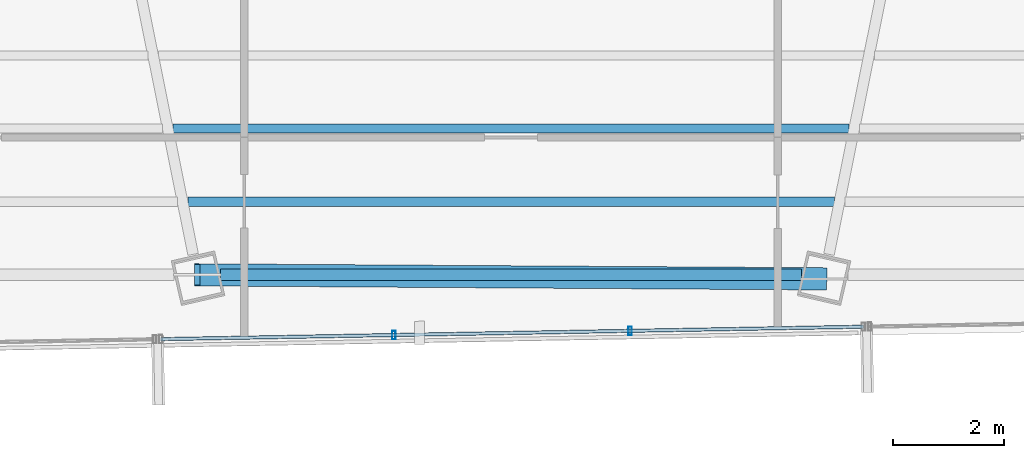
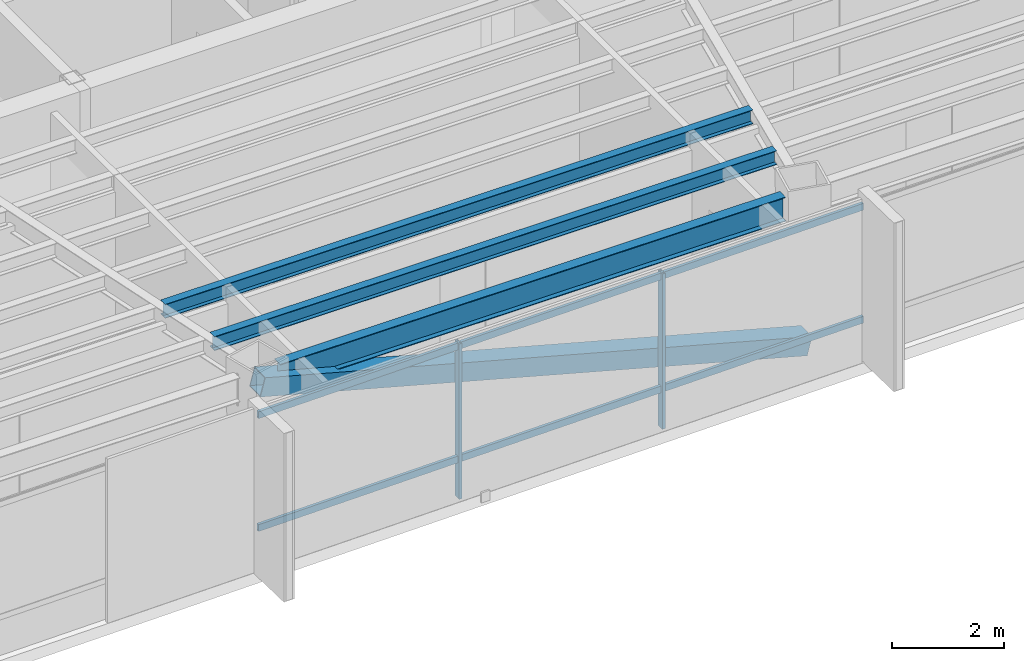
# One storey, part 13 of 42: 5 members, 3 beams, 1 element without a shape of its own.
"""IFC4 building model written with IfcOpenShell, lengths in metres."""

import ifcopenshell
import ifcopenshell.guid

model = None  # the IFC model being written
_history = None  # IfcOwnerHistory: only IFC2X3 demands one
_inside = {}  # id of a spatial element -> (the spatial element, [elements in it])
_under = {}  # id of a project, library or spatial element -> (it, [spatial elements below it])
_declared = {}  # id of a project -> (the project, [libraries it declares])
_typed = {}  # id of a type object -> (the type object, [elements of that type])
_made_of = {}  # id of a material, layer set ... -> (it, [elements and type objects made of it])


def new_model(schema):
    """Start an empty IFC model of exactly this schema.

    Asked for "IFC4X3", IfcOpenShell would pick the latest addendum, in which some entities
    have other attributes; the version numbers below select the first issue.
    IFC2X3 requires an IfcOwnerHistory on every rooted entity: one is made here for all.
    """
    global model, _history
    if schema == "IFC4X3":
        model = ifcopenshell.file(schema_version=(4, 3, 0, 0))
    else:
        model = ifcopenshell.file(schema=schema)
    _inside.clear()
    _under.clear()
    _declared.clear()
    _typed.clear()
    _made_of.clear()
    _history = None
    if model.schema == "IFC2X3":
        org = make("IfcOrganization", Name="unknown")
        user = make(
            "IfcPersonAndOrganization",
            ThePerson=make("IfcPerson", FamilyName="unknown"),
            TheOrganization=org,
        )
        app = make(
            "IfcApplication",
            ApplicationDeveloper=org,
            Version="unknown",
            ApplicationFullName="unknown",
            ApplicationIdentifier="unknown",
        )
        _history = make(
            "IfcOwnerHistory",
            OwningUser=user,
            OwningApplication=app,
            ChangeAction="ADDED",
            CreationDate=0,
        )
    return model


def make(cls, **values):
    """One entity of the class cls with the attributes given. An attribute that is None is left unset."""
    return model.create_entity(
        cls, **{name: value for name, value in values.items() if value is not None}
    )


def rooted(cls, **values):
    """An entity with a GlobalId (a new one), such as an element, a storey or a relation."""
    return make(cls, GlobalId=ifcopenshell.guid.new(), OwnerHistory=_history, **values)


def si_unit(unit_type, name, prefix=None):
    """IfcSIUnit, for example si_unit("LENGTHUNIT", "METRE", prefix="MILLI")."""
    return make("IfcSIUnit", UnitType=unit_type, Prefix=prefix, Name=name)


def assignment(units):
    """IfcUnitAssignment: the units of a project."""
    return None if units is None else make("IfcUnitAssignment", Units=units)


def point(xyz):
    """IfcCartesianPoint."""
    return None if xyz is None else make("IfcCartesianPoint", Coordinates=xyz)


def direction(xyz):
    """IfcDirection."""
    return None if xyz is None else make("IfcDirection", DirectionRatios=xyz)


def frame(location, z_axis=None, x_axis=None):
    """IfcAxis2Placement3D, a coordinate frame: its origin and axes. An axis left out is left unset."""
    return make(
        "IfcAxis2Placement3D",
        Location=point(location),
        Axis=direction(z_axis),
        RefDirection=direction(x_axis),
    )


def frame_2d(location, x_axis=None):
    """IfcAxis2Placement2D, a coordinate frame in the plane: its origin and x axis."""
    return make(
        "IfcAxis2Placement2D", Location=point(location), RefDirection=direction(x_axis)
    )


def origin():
    """The frame at (0, 0, 0) with its axes left unset."""
    return frame((0.0, 0.0, 0.0))


def origin_2d():
    """The frame at (0, 0) in the plane with its x axis left unset."""
    return frame_2d((0.0, 0.0))


def place(relative_to, where):
    """IfcLocalPlacement: puts the frame where relative to a parent placement (None: the world)."""
    return make(
        "IfcLocalPlacement", PlacementRelTo=relative_to, RelativePlacement=where
    )


def context(
    kind, dimensions, precision=None, world=None, true_north=None, identifier=None
):
    """IfcGeometricRepresentationContext, for example the 3D "Model" context."""
    return make(
        "IfcGeometricRepresentationContext",
        ContextIdentifier=identifier,
        ContextType=kind,
        CoordinateSpaceDimension=dimensions,
        Precision=precision,
        WorldCoordinateSystem=world,
        TrueNorth=true_north,
    )


def subcontext(parent, identifier, kind, view, scale=None):
    """IfcGeometricRepresentationSubContext, for example "Body" below "Model"."""
    return make(
        "IfcGeometricRepresentationSubContext",
        ContextIdentifier=identifier,
        ContextType=kind,
        ParentContext=parent,
        TargetScale=scale,
        TargetView=view,
    )


def project(units=None, contexts=None):
    """IfcProject with its units and contexts."""
    return rooted(
        "IfcProject",
        Name="project",
        RepresentationContexts=contexts,
        UnitsInContext=assignment(units),
    )


def spatial(cls, under=None, at=None, **own):
    """A site, building, storey or space (cls), placed at a placement, below another one or the project."""
    s = rooted(cls, ObjectPlacement=at, **own)
    if under is not None:
        _under.setdefault(under.id(), (under, []))[1].append(s)
    return s


def profile(cls, at=None, kind="AREA", **sizes):
    """A parametric profile (cls). Its sizes go by their IFC names, for example OverallWidth=200.0."""
    return make(cls, ProfileType=kind, Position=at, **sizes)


def hollow_rectangle(**sizes):
    """IfcRectangleHollowProfileDef."""
    return profile("IfcRectangleHollowProfileDef", **sizes)


def i_section(**sizes):
    """IfcIShapeProfileDef."""
    return profile("IfcIShapeProfileDef", **sizes)


def extrude(swept, where, along, depth):
    """IfcExtrudedAreaSolid: the profile swept, set in the frame where, extruded along a direction by depth."""
    return make(
        "IfcExtrudedAreaSolid",
        SweptArea=swept,
        Position=where,
        ExtrudedDirection=direction(along),
        Depth=depth,
    )


def shape(context_of_items, identifier, shape_type, items):
    """IfcShapeRepresentation: the items that make up one representation, for example the "Body"."""
    return make(
        "IfcShapeRepresentation",
        ContextOfItems=context_of_items,
        RepresentationIdentifier=identifier,
        RepresentationType=shape_type,
        Items=items,
    )


def source(mapping_origin, context_of_items, identifier, shape_type, items):
    """IfcRepresentationMap: a shape defined once, which mapped items show again and again."""
    return make(
        "IfcRepresentationMap",
        MappingOrigin=mapping_origin,
        MappedRepresentation=shape(context_of_items, identifier, shape_type, items),
    )


def transform(
    local_origin,
    x_axis=None,
    y_axis=None,
    z_axis=None,
    scale=None,
    scale2=None,
    scale3=None,
    uniform=True,
):
    """IfcCartesianTransformationOperator3D, or its non-uniform kind. x_axis, y_axis, z_axis: its Axis1, 2, 3."""
    if uniform:
        return make(
            "IfcCartesianTransformationOperator3D",
            Axis1=direction(x_axis),
            Axis2=direction(y_axis),
            LocalOrigin=point(local_origin),
            Scale=scale,
            Axis3=direction(z_axis),
        )
    return make(
        "IfcCartesianTransformationOperator3DnonUniform",
        Axis1=direction(x_axis),
        Axis2=direction(y_axis),
        LocalOrigin=point(local_origin),
        Scale=scale,
        Axis3=direction(z_axis),
        Scale2=scale2,
        Scale3=scale3,
    )


def mapped(mapping_source, mapping_target):
    """IfcMappedItem: shows the shape of a source again, moved by a transform."""
    return make(
        "IfcMappedItem", MappingSource=mapping_source, MappingTarget=mapping_target
    )


def material(Name=None, Category=None):
    """IfcMaterial."""
    return make("IfcMaterial", Name=Name, Category=Category)


def material_profile(
    of_material, cross_section, Name=None, Category=None, Priority=None
):
    """IfcMaterialProfile: a cross section and its material."""
    return make(
        "IfcMaterialProfile",
        Name=Name,
        Material=of_material,
        Profile=cross_section,
        Priority=Priority,
        Category=Category,
    )


def profile_set(profiles, Name=None, composite=None):
    """IfcMaterialProfileSet."""
    return make(
        "IfcMaterialProfileSet",
        Name=Name,
        MaterialProfiles=profiles,
        CompositeProfile=composite,
    )


def made_of(thing, what):
    """Note that an element or type object is made of a material, layer set ...; save() writes the relation."""
    if what is not None:
        _made_of.setdefault(what.id(), (what, []))[1].append(thing)
    return thing


def type_object(cls, material=None, **own):
    """A type object (cls), such as IfcWallType, which elements share."""
    return made_of(rooted(cls, **own), material)


def type_shapes(of_type, sources):
    """Give a type object the sources (RepresentationMaps) that its elements show as mapped items."""
    of_type.RepresentationMaps = sources


def element(
    cls,
    number,
    at=None,
    inside=None,
    cuts=None,
    type_object=None,
    material=None,
    context=None,
    identifier="Body",
    shape_type=None,
    held_by="IfcProductDefinitionShape",
    body=None,
    shapes=None,
    **own,
):
    """One element of the class cls, such as IfcWall. Its Tag is "e" and its number.

    at: its placement. inside: the storey or other place that contains it. cuts: it is an
    opening in that element (IfcRelVoidsElement). A single representation is given by context,
    identifier, shape_type and body (its items); several are given by shapes. held_by: the class
    of the entity that holds the representations. save() writes the other relations.
    """
    e = rooted(cls, Tag="e%d" % number, ObjectPlacement=at, **own)
    if body is not None:
        shapes = [shape(context, identifier, shape_type, body)]
    if shapes is not None:
        e.Representation = make(held_by, Representations=shapes)
    if inside is not None:
        _inside.setdefault(inside.id(), (inside, []))[1].append(e)
    if cuts is not None:
        rooted(
            "IfcRelVoidsElement", RelatingBuildingElement=cuts, RelatedOpeningElement=e
        )
    if type_object is not None:
        _typed.setdefault(type_object.id(), (type_object, []))[1].append(e)
    return made_of(e, material)


def aggregate(whole, parts):
    """IfcRelAggregates: a whole, such as a stair, and the parts it consists of."""
    return rooted("IfcRelAggregates", RelatingObject=whole, RelatedObjects=parts)


def save(model, path):
    """Write the relations noted so far, then the file.

    IfcRelAggregates (storeys below a building ...), IfcRelContainedInSpatialStructure (elements
    in a storey), IfcRelDefinesByType, IfcRelAssociatesMaterial and IfcRelDeclares: one each for
    every whole, place, type object, material and project.
    """
    for whole, parts in _under.values():
        aggregate(whole, parts)
    for where, things in _inside.values():
        rooted(
            "IfcRelContainedInSpatialStructure",
            RelatedElements=things,
            RelatingStructure=where,
        )
    for kind, things in _typed.values():
        rooted("IfcRelDefinesByType", RelatedObjects=things, RelatingType=kind)
    for what, things in _made_of.values():
        rooted("IfcRelAssociatesMaterial", RelatedObjects=things, RelatingMaterial=what)
    for by, libraries in _declared.values():
        rooted("IfcRelDeclares", RelatingContext=by, RelatedDefinitions=libraries)
    model.write(path)


model = new_model("IFC4")

# Units and contexts
model_context = context("Model", 3, precision=1e-05, world=origin(), true_north=direction((0.0, 1.0)))
body_context = subcontext(model_context, "Body", "Model", "MODEL_VIEW")
ifc_project = project(units=[si_unit("LENGTHUNIT", "METRE"), si_unit("AREAUNIT", "SQUARE_METRE"), si_unit("VOLUMEUNIT", "CUBIC_METRE"), si_unit("PLANEANGLEUNIT", "RADIAN"), si_unit("MASSUNIT", "GRAM", prefix="KILO")], contexts=[model_context])

# Site, building, storey
site_placement = place(None, origin())
site = spatial("IfcSite", under=ifc_project, at=site_placement, CompositionType="ELEMENT")
building_placement = place(site_placement, origin())
building = spatial("IfcBuilding", under=site, at=building_placement, Name="Caelisora Broadcast Tower", CompositionType="ELEMENT")
storey_placement = place(building_placement, frame((0.0, 0.0, 195.0)))
storey = spatial("IfcBuildingStorey", under=building, at=storey_placement, Name="L51", CompositionType="ELEMENT", Elevation=195.0)

# Beams
ifc_material_1 = material(Name="Steel Grade 350 (AS/NZS 3679.1)", Category="steel")
ifc_material_profile_1 = material_profile(ifc_material_1, i_section(OverallWidth=0.208984375, OverallDepth=0.532958984375, WebThickness=0.01025390625, FlangeThickness=0.015625, at=origin_2d()), Name="Steel Grade 350 (AS/NZS 3679.1)")
ifc_profile_set_1 = profile_set([ifc_material_profile_1], Name="Steel Grade 350 (AS/NZS 3679.1)")
beam_type_1 = type_object("IfcBeamType", Name="PG05", PredefinedType="BEAM", material=ifc_profile_set_1)
shared_shape_1 = source(origin(), body_context, "Body", "SweptSolid", [
    extrude(i_section(OverallWidth=0.208984375, OverallDepth=0.532958984375, WebThickness=0.01025390625, FlangeThickness=0.015625, at=origin_2d()), origin(), (0.0, 0.0, 1.0), 10.458984375),
])
type_shapes(beam_type_1, [shared_shape_1])
beam_1_placement = place(storey_placement, frame((32.7705078125, 8.18798828125, 3.133544921875), z_axis=(1.0, 0.0, 0.0), x_axis=(0.0, 1.0, 0.0)))
element("IfcBeam", 1, at=beam_1_placement, inside=storey, type_object=beam_type_1, Name="L51 beam PG05", PredefinedType="BEAM", context=body_context, shape_type="MappedRepresentation", body=[
    mapped(shared_shape_1, transform((0.0, 0.0, 0.0), scale=1.0)),
])
ifc_material_profile_2 = material_profile(ifc_material_1, i_section(OverallWidth=0.166015625, OverallDepth=0.30712890625, WebThickness=0.006591796875, FlangeThickness=0.01171875, at=origin_2d()), Name="Steel Grade 350 (AS/NZS 3679.1)")
ifc_profile_set_2 = profile_set([ifc_material_profile_2], Name="Steel Grade 350 (AS/NZS 3679.1)")
beam_type_2 = type_object("IfcBeamType", Name="SB03", PredefinedType="JOIST", material=ifc_profile_set_2)
shared_shape_2 = source(origin(), body_context, "Body", "SweptSolid", [
    extrude(i_section(OverallWidth=0.166015625, OverallDepth=0.30712890625, WebThickness=0.006591796875, FlangeThickness=0.01171875, at=origin_2d()), origin(), (0.0, 0.0, 1.0), 12.16162109375),
])
beam_2_placement = place(storey_placement, frame((31.919189453125, 10.820068359375, 3.246337890625), z_axis=(1.0, 0.0, 0.0), x_axis=(0.0, 1.0, 0.0)))
element("IfcBeam", 2, at=beam_2_placement, inside=storey, type_object=beam_type_2, Name="L51 beam SB03", PredefinedType="JOIST", context=body_context, shape_type="MappedRepresentation", body=[
    mapped(shared_shape_2, transform((0.0, 0.0, 0.0), scale=1.0)),
])
shared_shape_3 = source(origin(), body_context, "Body", "SweptSolid", [
    extrude(i_section(OverallWidth=0.166015625, OverallDepth=0.30712890625, WebThickness=0.006591796875, FlangeThickness=0.01171875, at=origin_2d()), origin(), (0.0, 0.0, 1.0), 11.6318359375),
])
type_shapes(beam_type_2, [shared_shape_2, shared_shape_3])
beam_3_placement = place(storey_placement, frame((32.18408203125, 9.504150390625, 3.246337890625), z_axis=(1.0, 0.0, 0.0), x_axis=(0.0, 1.0, 0.0)))
element("IfcBeam", 3, at=beam_3_placement, inside=storey, type_object=beam_type_2, Name="L51 beam SB03", PredefinedType="JOIST", context=body_context, shape_type="MappedRepresentation", body=[
    mapped(shared_shape_3, transform((0.0, 0.0, 0.0), scale=1.0)),
])

# Member
ifc_material_2 = material(Name="Steel Grade 450 (AS/NZS 1163 C450L0)", Category="steel")
ifc_material_profile_3 = material_profile(ifc_material_2, hollow_rectangle(XDim=0.39990234375, YDim=0.39990234375, WallThickness=0.01611328125, at=origin_2d()), Name="Steel Grade 450 (AS/NZS 1163 C450L0)")
ifc_profile_set_3 = profile_set([ifc_material_profile_3], Name="Steel Grade 450 (AS/NZS 1163 C450L0)")
member_type_1 = type_object("IfcMemberType", Name="BR04", PredefinedType="BRACE", material=ifc_profile_set_3)
shared_shape_4 = source(origin(), body_context, "Body", "SweptSolid", [
    extrude(hollow_rectangle(XDim=0.39990234375, YDim=0.39990234375, WallThickness=0.01611328125, at=origin_2d()), origin(), (0.0, 0.0, 1.0), 11.6669921875),
])
type_shapes(member_type_1, [shared_shape_4])
member_1_placement = place(storey_placement, frame((32.3544921875, 8.18798828125, 3.10009765625), z_axis=(0.966355190299, -0.006194047993, -0.257136695071), x_axis=(0.006409569504, 0.999979458498, 0.0)))
element("IfcMember", 4, at=member_1_placement, inside=storey, type_object=member_type_1, Name="L51 perimeter brace BR04", PredefinedType="BRACE", context=body_context, shape_type="MappedRepresentation", body=[
    mapped(shared_shape_4, transform((0.0, 0.0, 0.0), scale=1.0)),
])

# Curtain wall, members
ifc_material_3 = material(Name="Unitised Aluminium Insulated Shadow-Box Spandrel Curtain Wall", Category="aluminium")
curtain_wall_type = type_object("IfcCurtainWallType", Name="CW-SP2", PredefinedType="NOTDEFINED", material=ifc_material_3)
curtain_wall_placement = place(storey_placement, origin())
curtain_wall = element("IfcCurtainWall", 5, at=curtain_wall_placement, inside=storey, type_object=curtain_wall_type, Name="L51 curtain wall CW-SP2", PredefinedType="NOTDEFINED")
ifc_material_4 = material(Name="Aluminium 6063-T6 Anodised Terracotta Bronze", Category="aluminium")
ifc_material_profile_4 = material_profile(ifc_material_4, hollow_rectangle(XDim=0.06005859375, YDim=0.14990234375, WallThickness=0.00341796875, at=origin_2d()), Name="Aluminium 6063-T6 Anodised Terracotta Bronze")
ifc_profile_set_4 = profile_set([ifc_material_profile_4], Name="Aluminium 6063-T6 Anodised Terracotta Bronze")
member_type_2 = type_object("IfcMemberType", Name="CWM-03", PredefinedType="MULLION", material=ifc_profile_set_4)
shared_shape_5 = source(origin(), body_context, "Body", "SweptSolid", [
    extrude(hollow_rectangle(XDim=0.06005859375, YDim=0.14990234375, WallThickness=0.00341796875, at=origin_2d()), origin(), (0.0, 0.0, 1.0), 3.39990234375),
])
type_shapes(member_type_2, [shared_shape_5])
member_2_placement = place(storey_placement, frame((40.141357421875, 7.180419921875, 0.0), z_axis=(0.0, 0.0, 1.0), x_axis=(1.0, 0.0, 0.0)))
member_2 = element("IfcMember", 6, at=member_2_placement, type_object=member_type_2, Name="L51-CW-B06 mullion #1", PredefinedType="MULLION", context=body_context, shape_type="MappedRepresentation", body=[
    mapped(shared_shape_5, transform((0.0, 0.0, 0.0), scale=1.0)),
])
member_3_placement = place(storey_placement, frame((35.893310546875, 7.105224609375, 0.0), z_axis=(0.0, 0.0, 1.0), x_axis=(1.0, 0.0, 0.0)))
member_3 = element("IfcMember", 7, at=member_3_placement, type_object=member_type_2, Name="L51-CW-B06 mullion #2", PredefinedType="MULLION", context=body_context, shape_type="MappedRepresentation", body=[
    mapped(shared_shape_5, transform((0.0, 0.0, 0.0), scale=1.0)),
])
ifc_material_profile_5 = material_profile(ifc_material_4, hollow_rectangle(XDim=0.06005859375, YDim=0.14990234375, WallThickness=0.00341796875, at=origin_2d()), Name="Aluminium 6063-T6 Anodised Terracotta Bronze")
ifc_profile_set_5 = profile_set([ifc_material_profile_5], Name="Aluminium 6063-T6 Anodised Terracotta Bronze")
member_type_3 = type_object("IfcMemberType", Name="CWT-02", PredefinedType="USERDEFINED", material=ifc_profile_set_5)
shared_shape_6 = source(origin(), body_context, "Body", "SweptSolid", [
    extrude(hollow_rectangle(XDim=0.06005859375, YDim=0.14990234375, WallThickness=0.00341796875, at=origin_2d()), origin(), (0.0, 0.0, 1.0), 12.646240234375),
])
type_shapes(member_type_3, [shared_shape_6])
member_4_placement = place(storey_placement, frame((44.33935546875, 7.2548828125, 0.85009765625), z_axis=(-0.99984328954, -0.017703004316, 0.0), x_axis=(0.017703004316, -0.99984328954, 0.0)))
member_4 = element("IfcMember", 8, at=member_4_placement, type_object=member_type_3, Name="L51-CW-B06 transom #1", ObjectType="TRANSOM", PredefinedType="USERDEFINED", context=body_context, shape_type="MappedRepresentation", body=[
    mapped(shared_shape_6, transform((0.0, 0.0, 0.0), scale=1.0)),
])
member_5_placement = place(storey_placement, frame((44.33935546875, 7.2548828125, 3.320068359375), z_axis=(-0.99984328954, -0.017703004316, 0.0), x_axis=(0.017703004316, -0.99984328954, 0.0)))
member_5 = element("IfcMember", 9, at=member_5_placement, type_object=member_type_3, Name="L51-CW-B06 transom #2", ObjectType="TRANSOM", PredefinedType="USERDEFINED", context=body_context, shape_type="MappedRepresentation", body=[
    mapped(shared_shape_6, transform((0.0, 0.0, 0.0), scale=1.0)),
])
aggregate(curtain_wall, [member_2, member_3, member_4, member_5])

save(model, "model.ifc")
